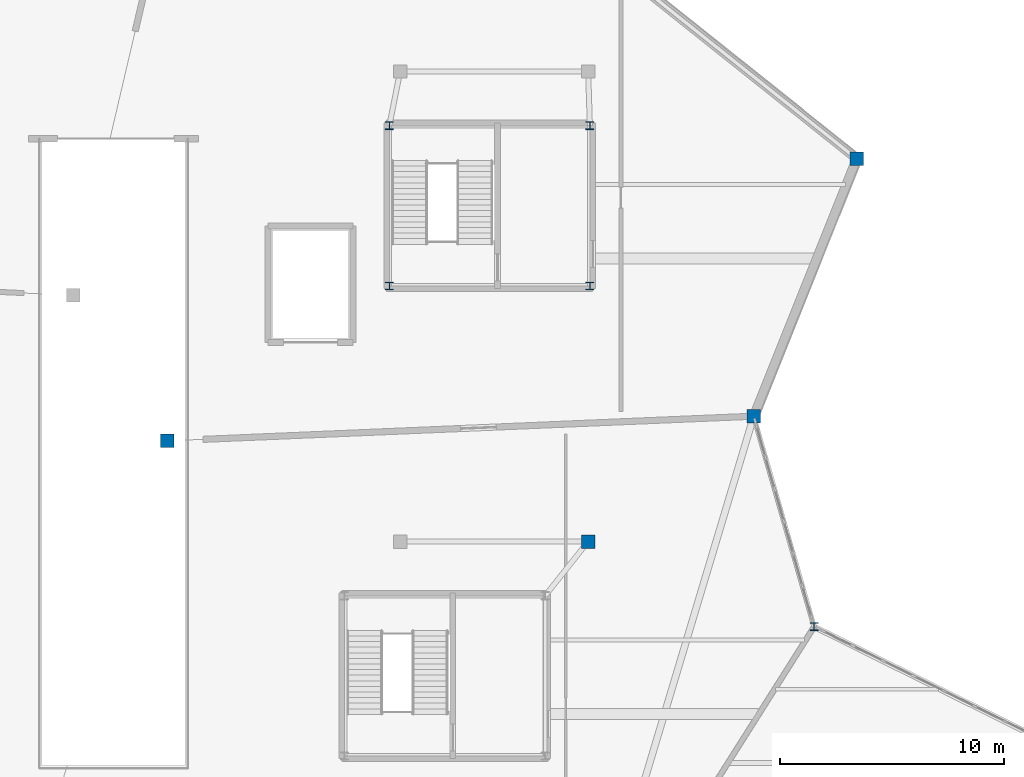
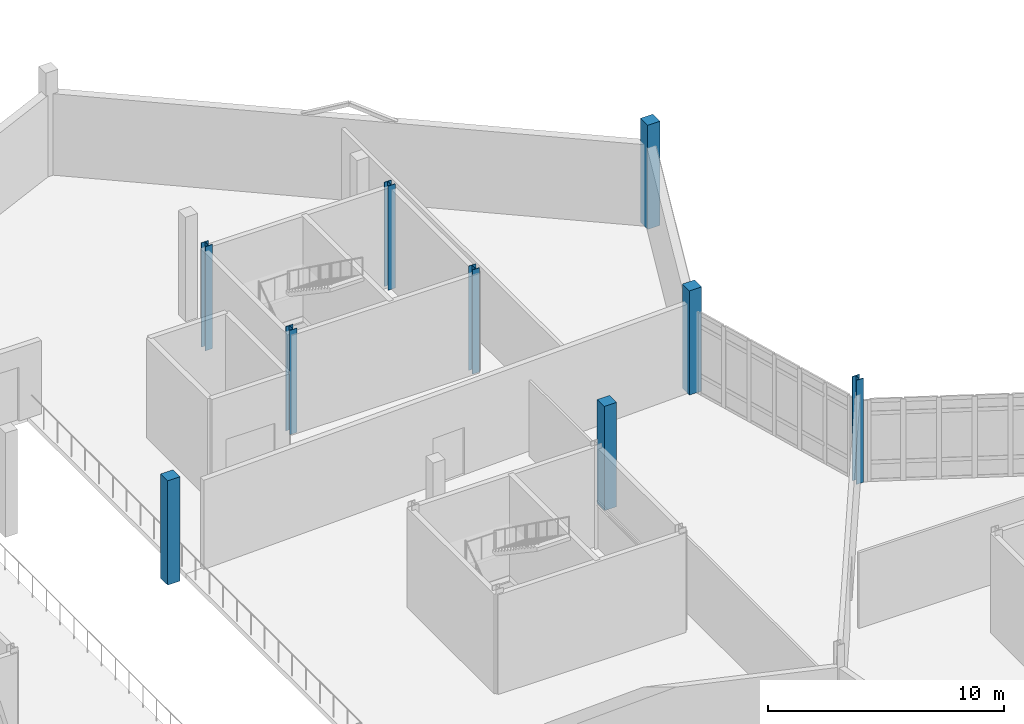
# One storey, part 13 of 113: 9 columns.
"""IFC4 building model written with IfcOpenShell, lengths in metres."""

from ifc_helpers import new_model, si_unit, direction, frame, origin, origin_2d, place, context, subcontext, project, spatial, rectangle, i_section, extrude, material, material_profile, profile_set, type_object, element, save


model = new_model("IFC4")

# Units and contexts
model_context = context("Model", 3, precision=1e-05, world=origin(), true_north=direction((0.0, 1.0)))
body_context = subcontext(model_context, "Body", "Model", "MODEL_VIEW")
ifc_project = project(units=[si_unit("LENGTHUNIT", "METRE"), si_unit("AREAUNIT", "SQUARE_METRE"), si_unit("VOLUMEUNIT", "CUBIC_METRE"), si_unit("PLANEANGLEUNIT", "RADIAN"), si_unit("MASSUNIT", "GRAM", prefix="KILO")], contexts=[model_context])

# Site, building, storey
site_placement = place(None, origin())
site = spatial("IfcSite", under=ifc_project, at=site_placement, CompositionType="ELEMENT")
building_placement = place(site_placement, origin())
building = spatial("IfcBuilding", under=site, at=building_placement, Name="Tameran Prism Museum", CompositionType="ELEMENT")
storey_placement = place(building_placement, origin())
storey = spatial("IfcBuildingStorey", under=building, at=storey_placement, Name="L00", CompositionType="ELEMENT", Elevation=0.0)

# Columns
ifc_material_1 = material(Name="Concrete N50 (50 MPa)", Category="concrete")
ifc_material_profile_1 = material_profile(ifc_material_1, rectangle(XDim=0.60009765625, YDim=0.60009765625, at=origin_2d()))
ifc_profile_set_1 = profile_set([ifc_material_profile_1])
column_type_1 = type_object("IfcColumnType", Name="COL-RC600", PredefinedType="COLUMN", material=ifc_profile_set_1)
for number, where, z_axis, x_axis, name in (
    (1, (31.60009765625, 81.5, 0.0), (0.0, 0.0, 1.0), (1.0, 0.0, 0.0), "Column CV-20 L00"),
    (2, (57.800048828125, 82.60009765625, 0.0), (0.0, 0.0, 1.0), (1.0, 0.0, 0.0), "Column CV-29 L00"),
    (3, (62.39990234375, 94.10009765625, 0.0), (0.0, 0.0, 1.0), (1.0, 0.0, 0.0), "Column CV-31 L00"),
    (4, (50.39990234375, 77.0, 0.0), (0.0, 0.0, 1.0), (1.0, 0.0, 0.0), "Column CI-02 L00"),
):
    element("IfcColumn", number, at=place(storey_placement, frame(where, z_axis=z_axis, x_axis=x_axis)), inside=storey, type_object=column_type_1, Name=name, PredefinedType="COLUMN", context=body_context, shape_type="SweptSolid", body=[
        extrude(rectangle(XDim=0.60009765625, YDim=0.60009765625, at=origin_2d()), origin(), (0.0, 0.0, 1.0), 5.39990234375),
    ])
ifc_material_2 = material(Name="Steel Grade 350 (350 MPa)", Category="steel")
ifc_material_profile_2 = material_profile(ifc_material_2, i_section(OverallWidth=0.35009765625, OverallDepth=0.35009765625, WebThickness=0.02001953125, FlangeThickness=0.028076171875, at=origin_2d()))
ifc_profile_set_2 = profile_set([ifc_material_profile_2])
column_type_2 = type_object("IfcColumnType", Name="COL-WC350", PredefinedType="COLUMN", material=ifc_profile_set_2)
for number, where, z_axis, x_axis, name in (
    (5, (60.5, 73.199951171875, 0.0), (0.0, 0.0, 1.0), (1.0, 0.0, 0.0), "Column CV-30 L00"),
    (6, (41.52001953125, 88.419921875, 0.0), (0.0, 0.0, 1.0), (1.0, 0.0, 0.0), "Column CC-14-1 L00"),
    (7, (50.47998046875, 88.419921875, 0.0), (0.0, 0.0, 1.0), (1.0, 0.0, 0.0), "Column CC-14-2 L00"),
    (8, (50.47998046875, 95.580078125, 0.0), (0.0, 0.0, 1.0), (1.0, 0.0, 0.0), "Column CC-14-3 L00"),
    (9, (41.52001953125, 95.580078125, 0.0), (0.0, 0.0, 1.0), (1.0, 0.0, 0.0), "Column CC-14-4 L00"),
):
    element("IfcColumn", number, at=place(storey_placement, frame(where, z_axis=z_axis, x_axis=x_axis)), inside=storey, type_object=column_type_2, Name=name, PredefinedType="COLUMN", context=body_context, shape_type="SweptSolid", body=[
        extrude(i_section(OverallWidth=0.35009765625, OverallDepth=0.35009765625, WebThickness=0.02001953125, FlangeThickness=0.028076171875, at=origin_2d()), origin(), (0.0, 0.0, 1.0), 5.39990234375),
    ])

save(model, "model.ifc")
